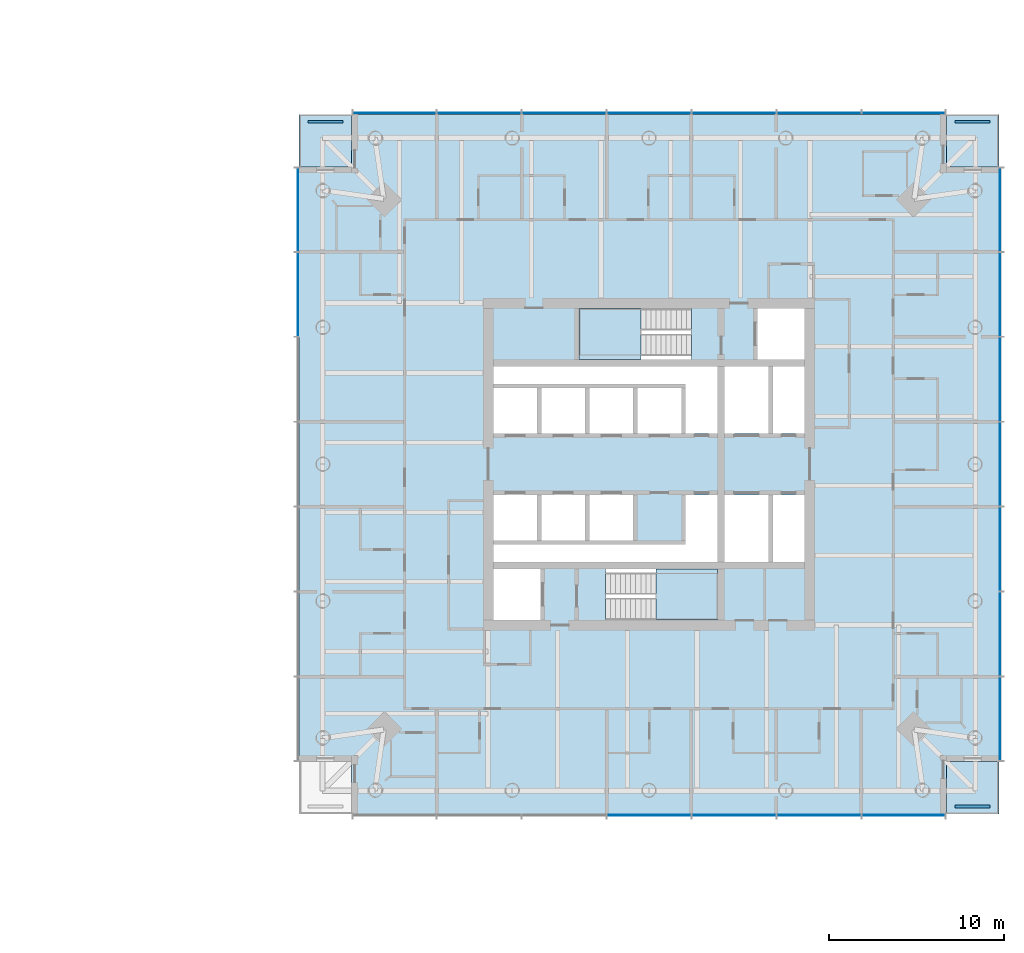
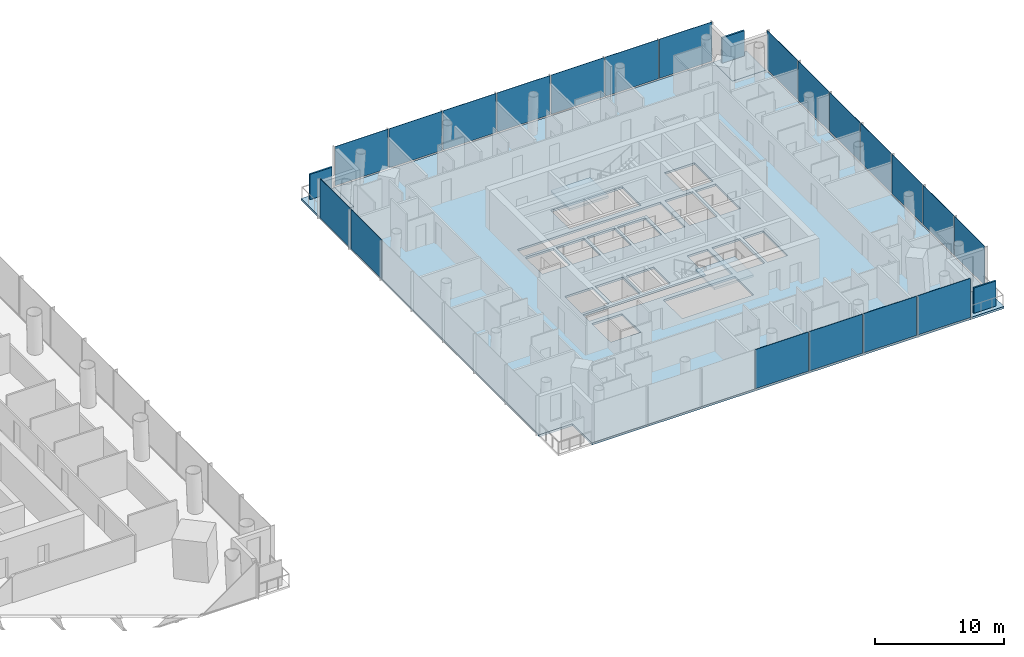
# One storey, part 8 of 20: 23 plates, 6 slabs, 6 elements without a shape of their own.
"""IFC4 building model written with IfcOpenShell, lengths in metres."""

from ifc_helpers import new_model, si_unit, direction, frame, origin, origin_2d, place, context, subcontext, project, spatial, polyline, rectangle, outline, extrude, material, layer, layer_set, type_object, element, aggregate, save


model = new_model("IFC4")

# Units and contexts
model_context = context("Model", 3, precision=1e-05, world=origin(), true_north=direction((0.0, 1.0)))
body_context = subcontext(model_context, "Body", "Model", "MODEL_VIEW")
ifc_project = project(units=[si_unit("LENGTHUNIT", "METRE"), si_unit("AREAUNIT", "SQUARE_METRE"), si_unit("VOLUMEUNIT", "CUBIC_METRE"), si_unit("PLANEANGLEUNIT", "RADIAN"), si_unit("MASSUNIT", "GRAM", prefix="KILO")], contexts=[model_context])

# Site, building, storey
site_placement = place(None, origin())
site = spatial("IfcSite", under=ifc_project, at=site_placement, CompositionType="ELEMENT")
building_placement = place(site_placement, origin())
building = spatial("IfcBuilding", under=site, at=building_placement, Name="Ostroluk Exchange", CompositionType="ELEMENT")
storey_placement = place(building_placement, frame((0.0, 0.0, 28.60009765625)))
storey = spatial("IfcBuildingStorey", under=building, at=storey_placement, Name="L06", CompositionType="ELEMENT", Elevation=28.60009765625)

# Curtain wall, plates
ifc_material_1 = material(Name="Laminated clear glass", Category="glass")
curtain_wall_type = type_object("IfcCurtainWallType", Name="Hotel guest floor facade", PredefinedType="USERDEFINED", material=ifc_material_1)
curtain_wall_1_placement = place(storey_placement, origin())
curtain_wall_1 = element("IfcCurtainWall", 1, at=curtain_wall_1_placement, inside=storey, type_object=curtain_wall_type, Name="Hotel tower south facade L06", ObjectType="UNITISED CURTAIN WALL", PredefinedType="USERDEFINED")
ifc_material_2 = material(Name="Laminated clear glass", Category="glass")
ifc_layer_1 = layer(ifc_material_2, 0.0400390625)
ifc_layer_set_1 = layer_set([ifc_layer_1], Name="Acoustic laminated glazing 40")
plate_type_1 = type_object("IfcPlateType", Name="Acoustic laminated glazing 40", PredefinedType="CURTAIN_PANEL", material=ifc_layer_set_1)
plate_1_placement = place(storey_placement, frame((117.0, 25.925048828125, 0.080078125), z_axis=(0.0, 0.0, 1.0), x_axis=(1.0, 0.0, 0.0)))
plate_1 = element("IfcPlate", 2, at=plate_1_placement, type_object=plate_type_1, Name="CW-H1 panel 4.1", PredefinedType="CURTAIN_PANEL", context=body_context, shape_type="SweptSolid", body=[
    extrude(rectangle(XDim=4.777099609375, YDim=0.0400390625, at=origin_2d()), origin(), (0.0, 0.0, 1.0), 3.719970703125),
])
plate_2_placement = place(storey_placement, frame((121.857177734375, 25.925048828125, 0.080078125), z_axis=(0.0, 0.0, 1.0), x_axis=(1.0, 0.0, 0.0)))
plate_2 = element("IfcPlate", 3, at=plate_2_placement, type_object=plate_type_1, Name="CW-H1 panel 5.1", PredefinedType="CURTAIN_PANEL", context=body_context, shape_type="SweptSolid", body=[
    extrude(rectangle(XDim=4.777099609375, YDim=0.0400390625, at=origin_2d()), origin(), (0.0, 0.0, 1.0), 3.719970703125),
])
plate_3_placement = place(storey_placement, frame((126.71435546875, 25.925048828125, 0.080078125), z_axis=(0.0, 0.0, 1.0), x_axis=(1.0, 0.0, 0.0)))
plate_3 = element("IfcPlate", 4, at=plate_3_placement, type_object=plate_type_1, Name="CW-H1 panel 6.1", PredefinedType="CURTAIN_PANEL", context=body_context, shape_type="SweptSolid", body=[
    extrude(rectangle(XDim=4.777099609375, YDim=0.0400390625, at=origin_2d()), origin(), (0.0, 0.0, 1.0), 3.719970703125),
])
plate_4_placement = place(storey_placement, frame((131.551513671875, 25.925048828125, 0.080078125), z_axis=(0.0, 0.0, 1.0), x_axis=(1.0, 0.0, 0.0)))
plate_4 = element("IfcPlate", 5, at=plate_4_placement, type_object=plate_type_1, Name="CW-H1 panel 7.1", PredefinedType="CURTAIN_PANEL", context=body_context, shape_type="SweptSolid", body=[
    extrude(rectangle(XDim=4.737060546875, YDim=0.0400390625, at=origin_2d()), origin(), (0.0, 0.0, 1.0), 3.719970703125),
])
aggregate(curtain_wall_1, [plate_1, plate_2, plate_3, plate_4])

curtain_wall_2_placement = place(storey_placement, origin())
curtain_wall_2 = element("IfcCurtainWall", 6, at=curtain_wall_2_placement, inside=storey, type_object=curtain_wall_type, Name="Hotel tower east facade L06", ObjectType="UNITISED CURTAIN WALL", PredefinedType="USERDEFINED")
plate_5_placement = place(storey_placement, frame((137.074951171875, 31.448486328125, 0.080078125), z_axis=(0.0, 0.0, 1.0), x_axis=(0.0, 1.0, 0.0)))
plate_5 = element("IfcPlate", 7, at=plate_5_placement, type_object=plate_type_1, Name="CW-H1 panel 1.1", PredefinedType="CURTAIN_PANEL", context=body_context, shape_type="SweptSolid", body=[
    extrude(rectangle(XDim=4.737060546875, YDim=0.0400390625, at=origin_2d()), origin(), (0.0, 0.0, 1.0), 3.719970703125),
])
plate_6_placement = place(storey_placement, frame((137.074951171875, 36.28564453125, 0.080078125), z_axis=(0.0, 0.0, 1.0), x_axis=(0.0, 1.0, 0.0)))
plate_6 = element("IfcPlate", 8, at=plate_6_placement, type_object=plate_type_1, Name="CW-H1 panel 2.1", PredefinedType="CURTAIN_PANEL", context=body_context, shape_type="SweptSolid", body=[
    extrude(rectangle(XDim=4.777099609375, YDim=0.0400390625, at=origin_2d()), origin(), (0.0, 0.0, 1.0), 3.719970703125),
])
plate_7_placement = place(storey_placement, frame((137.074951171875, 41.142822265625, 0.080078125), z_axis=(0.0, 0.0, 1.0), x_axis=(0.0, 1.0, 0.0)))
plate_7 = element("IfcPlate", 9, at=plate_7_placement, type_object=plate_type_1, Name="CW-H1 panel 3.1", PredefinedType="CURTAIN_PANEL", context=body_context, shape_type="SweptSolid", body=[
    extrude(rectangle(XDim=4.777099609375, YDim=0.0400390625, at=origin_2d()), origin(), (0.0, 0.0, 1.0), 3.719970703125),
])
plate_8_placement = place(storey_placement, frame((137.074951171875, 46.0, 0.080078125), z_axis=(0.0, 0.0, 1.0), x_axis=(0.0, 1.0, 0.0)))
plate_8 = element("IfcPlate", 10, at=plate_8_placement, type_object=plate_type_1, Name="CW-H1 panel 4.1", PredefinedType="CURTAIN_PANEL", context=body_context, shape_type="SweptSolid", body=[
    extrude(rectangle(XDim=4.777099609375, YDim=0.0400390625, at=origin_2d()), origin(), (0.0, 0.0, 1.0), 3.719970703125),
])
plate_9_placement = place(storey_placement, frame((137.074951171875, 50.857177734375, 0.080078125), z_axis=(0.0, 0.0, 1.0), x_axis=(0.0, 1.0, 0.0)))
plate_9 = element("IfcPlate", 11, at=plate_9_placement, type_object=plate_type_1, Name="CW-H1 panel 5.1", PredefinedType="CURTAIN_PANEL", context=body_context, shape_type="SweptSolid", body=[
    extrude(rectangle(XDim=4.777099609375, YDim=0.0400390625, at=origin_2d()), origin(), (0.0, 0.0, 1.0), 3.719970703125),
])
plate_10_placement = place(storey_placement, frame((137.074951171875, 55.71435546875, 0.080078125), z_axis=(0.0, 0.0, 1.0), x_axis=(0.0, 1.0, 0.0)))
plate_10 = element("IfcPlate", 12, at=plate_10_placement, type_object=plate_type_1, Name="CW-H1 panel 6.1", PredefinedType="CURTAIN_PANEL", context=body_context, shape_type="SweptSolid", body=[
    extrude(rectangle(XDim=4.777099609375, YDim=0.0400390625, at=origin_2d()), origin(), (0.0, 0.0, 1.0), 3.719970703125),
])
plate_11_placement = place(storey_placement, frame((137.074951171875, 60.551513671875, 0.080078125), z_axis=(0.0, 0.0, 1.0), x_axis=(0.0, 1.0, 0.0)))
plate_11 = element("IfcPlate", 13, at=plate_11_placement, type_object=plate_type_1, Name="CW-H1 panel 7.1", PredefinedType="CURTAIN_PANEL", context=body_context, shape_type="SweptSolid", body=[
    extrude(rectangle(XDim=4.737060546875, YDim=0.0400390625, at=origin_2d()), origin(), (0.0, 0.0, 1.0), 3.719970703125),
])
aggregate(curtain_wall_2, [plate_5, plate_6, plate_7, plate_8, plate_9, plate_10, plate_11])

curtain_wall_3_placement = place(storey_placement, origin())
curtain_wall_3 = element("IfcCurtainWall", 14, at=curtain_wall_3_placement, inside=storey, type_object=curtain_wall_type, Name="Hotel tower north facade L06", ObjectType="UNITISED CURTAIN WALL", PredefinedType="USERDEFINED")
plate_12_placement = place(storey_placement, frame((131.551513671875, 66.074951171875, 0.080078125), z_axis=(0.0, 0.0, 1.0), x_axis=(-1.0, 0.0, 0.0)))
plate_12 = element("IfcPlate", 15, at=plate_12_placement, type_object=plate_type_1, Name="CW-H1 panel 1.1", PredefinedType="CURTAIN_PANEL", context=body_context, shape_type="SweptSolid", body=[
    extrude(rectangle(XDim=4.737060546875, YDim=0.0400390625, at=origin_2d()), origin(), (0.0, 0.0, 1.0), 3.719970703125),
])
plate_13_placement = place(storey_placement, frame((126.71435546875, 66.074951171875, 0.080078125), z_axis=(0.0, 0.0, 1.0), x_axis=(-1.0, 0.0, 0.0)))
plate_13 = element("IfcPlate", 16, at=plate_13_placement, type_object=plate_type_1, Name="CW-H1 panel 2.1", PredefinedType="CURTAIN_PANEL", context=body_context, shape_type="SweptSolid", body=[
    extrude(rectangle(XDim=4.777099609375, YDim=0.0400390625, at=origin_2d()), origin(), (0.0, 0.0, 1.0), 3.719970703125),
])
plate_14_placement = place(storey_placement, frame((121.857177734375, 66.074951171875, 0.080078125), z_axis=(0.0, 0.0, 1.0), x_axis=(-1.0, 0.0, 0.0)))
plate_14 = element("IfcPlate", 17, at=plate_14_placement, type_object=plate_type_1, Name="CW-H1 panel 3.1", PredefinedType="CURTAIN_PANEL", context=body_context, shape_type="SweptSolid", body=[
    extrude(rectangle(XDim=4.777099609375, YDim=0.0400390625, at=origin_2d()), origin(), (0.0, 0.0, 1.0), 3.719970703125),
])
plate_15_placement = place(storey_placement, frame((117.0, 66.074951171875, 0.080078125), z_axis=(0.0, 0.0, 1.0), x_axis=(-1.0, 0.0, 0.0)))
plate_15 = element("IfcPlate", 18, at=plate_15_placement, type_object=plate_type_1, Name="CW-H1 panel 4.1", PredefinedType="CURTAIN_PANEL", context=body_context, shape_type="SweptSolid", body=[
    extrude(rectangle(XDim=4.777099609375, YDim=0.0400390625, at=origin_2d()), origin(), (0.0, 0.0, 1.0), 3.719970703125),
])
plate_16_placement = place(storey_placement, frame((112.142822265625, 66.074951171875, 0.080078125), z_axis=(0.0, 0.0, 1.0), x_axis=(-1.0, 0.0, 0.0)))
plate_16 = element("IfcPlate", 19, at=plate_16_placement, type_object=plate_type_1, Name="CW-H1 panel 5.1", PredefinedType="CURTAIN_PANEL", context=body_context, shape_type="SweptSolid", body=[
    extrude(rectangle(XDim=4.777099609375, YDim=0.0400390625, at=origin_2d()), origin(), (0.0, 0.0, 1.0), 3.719970703125),
])
plate_17_placement = place(storey_placement, frame((107.28564453125, 66.074951171875, 0.080078125), z_axis=(0.0, 0.0, 1.0), x_axis=(-1.0, 0.0, 0.0)))
plate_17 = element("IfcPlate", 20, at=plate_17_placement, type_object=plate_type_1, Name="CW-H1 panel 6.1", PredefinedType="CURTAIN_PANEL", context=body_context, shape_type="SweptSolid", body=[
    extrude(rectangle(XDim=4.777099609375, YDim=0.0400390625, at=origin_2d()), origin(), (0.0, 0.0, 1.0), 3.719970703125),
])
plate_18_placement = place(storey_placement, frame((102.448486328125, 66.074951171875, 0.080078125), z_axis=(0.0, 0.0, 1.0), x_axis=(-1.0, 0.0, 0.0)))
plate_18 = element("IfcPlate", 21, at=plate_18_placement, type_object=plate_type_1, Name="CW-H1 panel 7.1", PredefinedType="CURTAIN_PANEL", context=body_context, shape_type="SweptSolid", body=[
    extrude(rectangle(XDim=4.737060546875, YDim=0.0400390625, at=origin_2d()), origin(), (0.0, 0.0, 1.0), 3.719970703125),
])
aggregate(curtain_wall_3, [plate_12, plate_13, plate_14, plate_15, plate_16, plate_17, plate_18])

curtain_wall_4_placement = place(storey_placement, origin())
curtain_wall_4 = element("IfcCurtainWall", 22, at=curtain_wall_4_placement, inside=storey, type_object=curtain_wall_type, Name="Hotel tower west facade L06", ObjectType="UNITISED CURTAIN WALL", PredefinedType="USERDEFINED")
plate_19_placement = place(storey_placement, frame((96.925048828125, 60.551513671875, 0.080078125), z_axis=(0.0, 0.0, 1.0), x_axis=(0.0, -1.0, 0.0)))
plate_19 = element("IfcPlate", 23, at=plate_19_placement, type_object=plate_type_1, Name="CW-H1 panel 1.1", PredefinedType="CURTAIN_PANEL", context=body_context, shape_type="SweptSolid", body=[
    extrude(rectangle(XDim=4.737060546875, YDim=0.0400390625, at=origin_2d()), origin(), (0.0, 0.0, 1.0), 3.719970703125),
])
plate_20_placement = place(storey_placement, frame((96.925048828125, 55.71435546875, 0.080078125), z_axis=(0.0, 0.0, 1.0), x_axis=(0.0, -1.0, 0.0)))
plate_20 = element("IfcPlate", 24, at=plate_20_placement, type_object=plate_type_1, Name="CW-H1 panel 2.1", PredefinedType="CURTAIN_PANEL", context=body_context, shape_type="SweptSolid", body=[
    extrude(rectangle(XDim=4.777099609375, YDim=0.0400390625, at=origin_2d()), origin(), (0.0, 0.0, 1.0), 3.719970703125),
])
aggregate(curtain_wall_4, [plate_19, plate_20])

# Slabs
ifc_material_3 = material(Name="Concrete C35/45", Category="concrete")
ifc_layer_2 = layer(ifc_material_3, 0.199951171875)
ifc_layer_set_2 = layer_set([ifc_layer_2], Name="Balcony slab 200")
slab_type_1 = type_object("IfcSlabType", Name="Balcony slab 200", PredefinedType="USERDEFINED", material=ifc_layer_set_2)
slab_1_placement = place(storey_placement, frame((0.0, 0.0, -0.2001953125)))
element("IfcSlab", 25, at=slab_1_placement, inside=storey, type_object=slab_type_1, Name="Hotel tower SE corner balcony L06", ObjectType="BALCONY", PredefinedType="USERDEFINED", context=body_context, shape_type="SweptSolid", body=[
    extrude(outline(polyline([(134.0, 26.0), (137.0, 26.0), (137.0, 29.0), (134.0, 29.0), (134.0, 26.0)])), origin(), (0.0, 0.0, 1.0), 0.2001953125),
])
slab_2_placement = place(storey_placement, frame((0.0, 0.0, -0.2001953125)))
element("IfcSlab", 26, at=slab_2_placement, inside=storey, type_object=slab_type_1, Name="Hotel tower NE corner balcony L06", ObjectType="BALCONY", PredefinedType="USERDEFINED", context=body_context, shape_type="SweptSolid", body=[
    extrude(outline(polyline([(134.0, 63.0), (137.0, 63.0), (137.0, 66.0), (134.0, 66.0), (134.0, 63.0)])), origin(), (0.0, 0.0, 1.0), 0.2001953125),
])
slab_3_placement = place(storey_placement, frame((0.0, 0.0, -0.2001953125)))
element("IfcSlab", 27, at=slab_3_placement, inside=storey, type_object=slab_type_1, Name="Hotel tower NW corner balcony L06", ObjectType="BALCONY", PredefinedType="USERDEFINED", context=body_context, shape_type="SweptSolid", body=[
    extrude(outline(polyline([(97.0, 63.0), (100.0, 63.0), (100.0, 66.0), (97.0, 66.0), (97.0, 63.0)])), origin(), (0.0, 0.0, 1.0), 0.2001953125),
])

# Plates
ifc_material_4 = material(Name="Steel S355 trellis with planting", Category="steel")
ifc_layer_3 = layer(ifc_material_4, 0.14990234375)
ifc_layer_set_3 = layer_set([ifc_layer_3], Name="Planted screen 150")
plate_type_2 = type_object("IfcPlateType", Name="Planted screen 150", PredefinedType="USERDEFINED", material=ifc_layer_set_3)
for number, where, z_axis, x_axis, name in (
    (28, (135.5, 26.425048828125, 0.0), (0.0, 0.0, 1.0), (1.0, 0.0, 0.0), "Hotel tower SE planted screen L06"),
    (29, (135.5, 65.574951171875, 0.0), (0.0, 0.0, 1.0), (1.0, 0.0, 0.0), "Hotel tower NE planted screen L06"),
    (30, (98.5, 65.574951171875, 0.0), (0.0, 0.0, 1.0), (1.0, 0.0, 0.0), "Hotel tower NW planted screen L06"),
):
    element("IfcPlate", number, at=place(storey_placement, frame(where, z_axis=z_axis, x_axis=x_axis)), inside=storey, type_object=plate_type_2, Name=name, ObjectType="PLANTED SCREEN", PredefinedType="USERDEFINED", context=body_context, shape_type="SweptSolid", body=[
        extrude(rectangle(XDim=2.0, YDim=0.14990234375, at=origin_2d()), origin(), (0.0, 0.0, 1.0), 2.39990234375),
    ])

# Stair, slab
ifc_material_5 = material(Name="Concrete C30/37", Category="concrete")
stair_type = type_object("IfcStairType", Name="Exit stair half turn 3800", PredefinedType="HALF_TURN_STAIR", material=ifc_material_5)
stair_1_placement = place(storey_placement, origin())
stair_1 = element("IfcStair", 31, at=stair_1_placement, inside=storey, type_object=stair_type, Name="Stair T2-S1 L06", PredefinedType="HALF_TURN_STAIR")
ifc_material_6 = material(Name="Concrete C30/37", Category="concrete")
ifc_layer_4 = layer(ifc_material_6, 0.199951171875)
ifc_layer_set_4 = layer_set([ifc_layer_4], Name="Stair landing 200")
slab_type_2 = type_object("IfcSlabType", Name="Stair landing 200", PredefinedType="LANDING", material=ifc_layer_set_4)
slab_4_placement = place(storey_placement, frame((0.0, 0.0, 1.699951171875)))
slab_4 = element("IfcSlab", 32, at=slab_4_placement, type_object=slab_type_2, Name="T2-S1 landing 1", PredefinedType="LANDING", context=body_context, shape_type="SweptSolid", body=[
    extrude(outline(polyline([(117.39990234375, 37.10009765625), (117.39990234375, 40.0), (120.929931640625, 40.0), (120.929931640625, 37.10009765625), (117.39990234375, 37.10009765625)])), origin(), (0.0, 0.0, 1.0), 0.199951171875),
])
aggregate(stair_1, [slab_4])

stair_2_placement = place(storey_placement, origin())
stair_2 = element("IfcStair", 33, at=stair_2_placement, inside=storey, type_object=stair_type, Name="Stair T2-S2 L06", PredefinedType="HALF_TURN_STAIR")
slab_5_placement = place(storey_placement, frame((0.0, 0.0, 1.699951171875)))
slab_5 = element("IfcSlab", 34, at=slab_5_placement, type_object=slab_type_2, Name="T2-S2 landing 1", PredefinedType="LANDING", context=body_context, shape_type="SweptSolid", body=[
    extrude(outline(polyline([(116.530029296875, 52.0), (116.530029296875, 54.89990234375), (113.0, 54.89990234375), (113.0, 52.0), (116.530029296875, 52.0)])), origin(), (0.0, 0.0, 1.0), 0.199951171875),
])
aggregate(stair_2, [slab_5])

# Slab
ifc_material_7 = material(Name="Concrete C35/45", Category="concrete")
ifc_layer_5 = layer(ifc_material_7, 0.199951171875)
ifc_layer_set_5 = layer_set([ifc_layer_5], Name="Tower floor slab 200 composite")
slab_type_3 = type_object("IfcSlabType", Name="Tower floor slab 200 composite", PredefinedType="FLOOR", material=ifc_layer_set_5)
slab_6_placement = place(storey_placement, frame((0.0, 0.0, -0.2001953125)))
element("IfcSlab", 35, at=slab_6_placement, inside=storey, type_object=slab_type_3, Name="Hotel tower floor slab L06", PredefinedType="FLOOR", context=body_context, shape_type="SweptSolid", body=[
    extrude(outline(polyline([(100.0, 26.0), (134.0, 26.0), (134.0, 29.0), (137.0, 29.0), (137.0, 63.0), (134.0, 63.0), (134.0, 66.0), (100.0, 66.0), (100.0, 63.0), (97.0, 63.0), (97.0, 29.0), (100.0, 29.0), (100.0, 26.0)]), holes=[polyline([(108.10009765625, 37.10009765625), (110.800048828125, 37.10009765625), (110.800048828125, 40.0), (108.10009765625, 40.0), (108.10009765625, 37.10009765625)]), polyline([(114.510009765625, 37.10009765625), (120.929931640625, 37.10009765625), (120.929931640625, 40.0), (114.510009765625, 40.0), (114.510009765625, 37.10009765625)]), polyline([(113.0, 52.0), (119.419921875, 52.0), (119.419921875, 54.89990234375), (113.0, 54.89990234375), (113.0, 52.0)]), polyline([(123.199951171875, 52.0), (125.89990234375, 52.0), (125.89990234375, 54.89990234375), (123.199951171875, 54.89990234375), (123.199951171875, 52.0)]), polyline([(108.10009765625, 47.75), (110.60009765625, 47.75), (110.60009765625, 50.35009765625), (108.10009765625, 50.35009765625), (108.10009765625, 47.75)]), polyline([(110.85009765625, 47.75), (113.35009765625, 47.75), (113.35009765625, 50.35009765625), (110.85009765625, 50.35009765625), (110.85009765625, 47.75)]), polyline([(113.60009765625, 47.75), (116.10009765625, 47.75), (116.10009765625, 50.35009765625), (113.60009765625, 50.35009765625), (113.60009765625, 47.75)]), polyline([(116.35009765625, 47.75), (118.85009765625, 47.75), (118.85009765625, 50.35009765625), (116.35009765625, 50.35009765625), (116.35009765625, 47.75)]), polyline([(108.10009765625, 41.64990234375), (110.60009765625, 41.64990234375), (110.60009765625, 44.25), (108.10009765625, 44.25), (108.10009765625, 41.64990234375)]), polyline([(110.85009765625, 41.64990234375), (113.35009765625, 41.64990234375), (113.35009765625, 44.25), (110.85009765625, 44.25), (110.85009765625, 41.64990234375)]), polyline([(113.60009765625, 41.64990234375), (116.10009765625, 41.64990234375), (116.10009765625, 44.25), (113.60009765625, 44.25), (113.60009765625, 41.64990234375)]), polyline([(121.330078125, 47.75), (123.830078125, 47.75), (123.830078125, 51.60009765625), (121.330078125, 51.60009765625), (121.330078125, 47.75)]), polyline([(121.330078125, 40.39990234375), (123.830078125, 40.39990234375), (123.830078125, 44.25), (121.330078125, 44.25), (121.330078125, 40.39990234375)]), polyline([(120.929931640625, 51.60009765625), (120.929931640625, 47.75), (119.10009765625, 47.75), (119.10009765625, 50.60009765625), (108.10009765625, 50.60009765625), (108.10009765625, 51.60009765625), (120.929931640625, 51.60009765625)]), polyline([(108.10009765625, 40.39990234375), (108.10009765625, 41.39990234375), (119.10009765625, 41.39990234375), (119.10009765625, 44.25), (120.929931640625, 44.25), (120.929931640625, 40.39990234375), (108.10009765625, 40.39990234375)]), polyline([(124.080078125, 47.75), (125.89990234375, 47.75), (125.89990234375, 51.60009765625), (124.080078125, 51.60009765625), (124.080078125, 47.75)]), polyline([(124.080078125, 40.39990234375), (125.89990234375, 40.39990234375), (125.89990234375, 44.25), (124.080078125, 44.25), (124.080078125, 40.39990234375)])]), origin(), (0.0, 0.0, 1.0), 0.2001953125),
])

save(model, "model.ifc")
